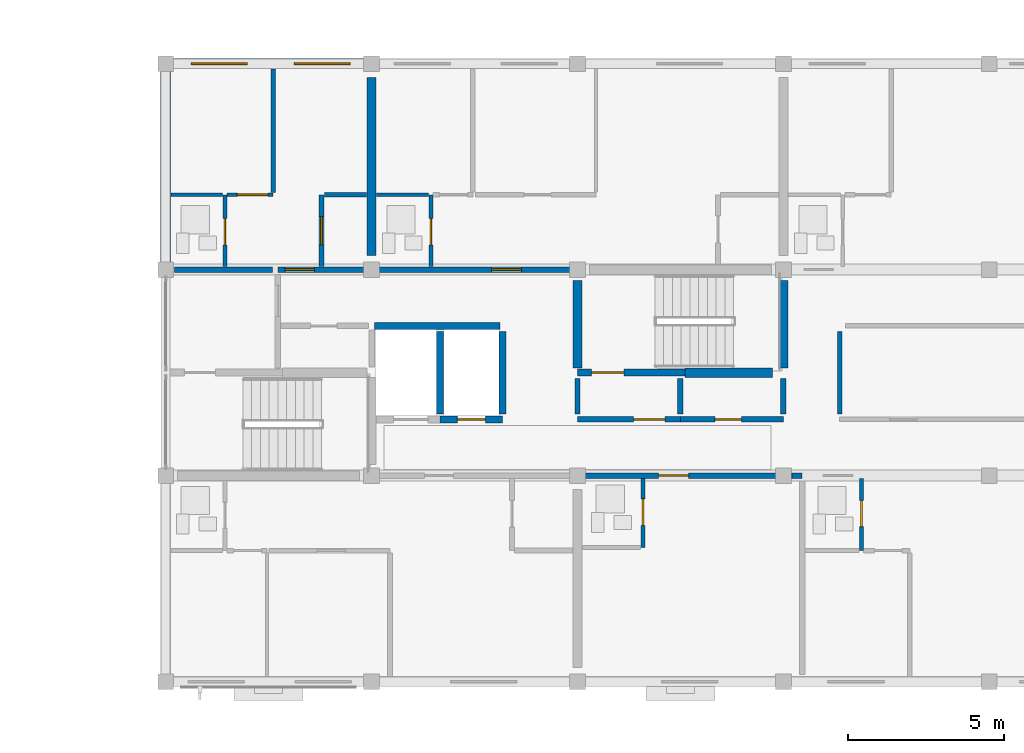
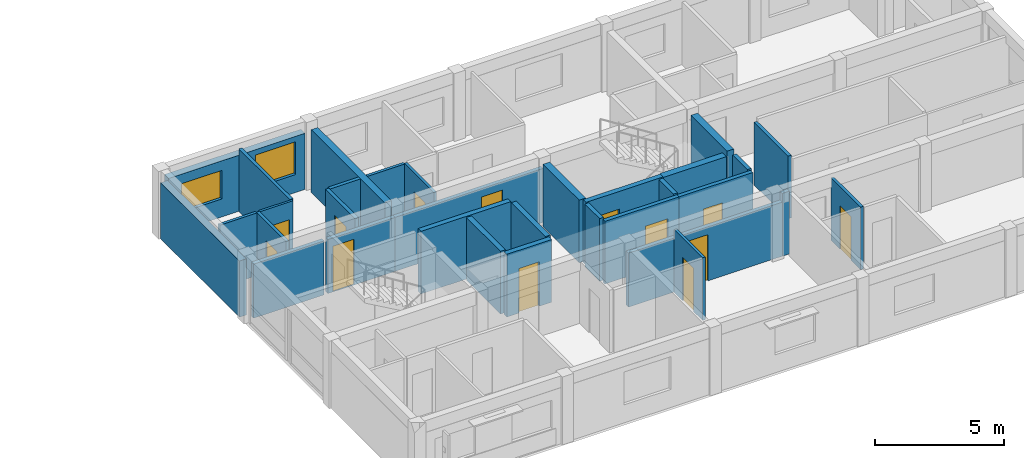
# One storey, part 38 of 53: 32 walls, 13 doors, 2 windows, 15 openings.
"""IFC4 building model written with IfcOpenShell, lengths in metres."""

from ifc_helpers import new_model, si_unit, direction, frame, frame_2d, origin, place, context, subcontext, project, spatial, rectangle, extrude, material, layer, layer_set, type_object, element, fill, save


model = new_model("IFC4")

# Units and contexts
model_context = context("Model", 3, precision=1e-05, world=origin(), true_north=direction((0.0, 1.0)))
body_context = subcontext(model_context, "Body", "Model", "MODEL_VIEW")
ifc_project = project(units=[si_unit("LENGTHUNIT", "METRE"), si_unit("AREAUNIT", "SQUARE_METRE"), si_unit("VOLUMEUNIT", "CUBIC_METRE"), si_unit("PLANEANGLEUNIT", "RADIAN"), si_unit("MASSUNIT", "GRAM", prefix="KILO")], contexts=[model_context])

# Site, building, storey
site_placement = place(None, origin())
site = spatial("IfcSite", under=ifc_project, at=site_placement, CompositionType="ELEMENT")
building_placement = place(site_placement, origin())
building = spatial("IfcBuilding", under=site, at=building_placement, Name="Kernevlak Ridge Housing Community", CompositionType="ELEMENT")
storey_placement = place(building_placement, frame((0.0, 0.0, 18.0)))
storey = spatial("IfcBuildingStorey", under=building, at=storey_placement, Name="L05", CompositionType="ELEMENT", Elevation=18.0)

# Wall, openings, windows
ifc_material_1 = material(Name="Concrete block masonry M10", Category="masonry")
ifc_layer_1 = layer(ifc_material_1, 0.320068359375, Name="Concrete block masonry M10")
ifc_layer_set_1 = layer_set([ifc_layer_1], Name="Concrete block masonry M10")
wall_type_1 = type_object("IfcWallType", Name="EW-02", PredefinedType="STANDARD", material=ifc_layer_set_1)
wall_1_placement = place(storey_placement, frame((119.64990234375, 102.39990234375, 0.0), z_axis=(0.0, 0.0, 1.0), x_axis=(1.0, 0.0, 0.0)))
wall_1 = element("IfcWall", 1, at=wall_1_placement, inside=storey, type_object=wall_type_1, Name="Exterior wall EW-02 L05 376", PredefinedType="STANDARD", context=body_context, shape_type="SweptSolid", body=[
    extrude(rectangle(XDim=6.10009765625, YDim=0.320068359375, at=frame_2d((3.050048828125, 0.0))), origin(), (0.0, 0.0, 1.0), 2.64990234375),
])
opening_1_placement = place(wall_1_placement, frame((0.574951171875, 0.0, 0.85009765625)))
opening_1 = element("IfcOpeningElement", 2, at=opening_1_placement, cuts=wall_1, Name="Opening WT-03", PredefinedType="OPENING", context=body_context, shape_type="SweptSolid", body=[
    extrude(rectangle(XDim=1.800048828125, YDim=1.35009765625, at=frame_2d((0.89990234375, 0.675048828125))), frame((0.0, 0.169921875, 0.0), z_axis=(0.0, -1.0, 0.0), x_axis=(1.0, 0.0, 0.0)), (0.0, 0.0, 1.0), 0.340087890625),
])
opening_2_placement = place(wall_1_placement, frame((3.875, 0.0, 0.85009765625)))
opening_2 = element("IfcOpeningElement", 3, at=opening_2_placement, cuts=wall_1, Name="Opening WT-04", PredefinedType="OPENING", context=body_context, shape_type="SweptSolid", body=[
    extrude(rectangle(XDim=1.800048828125, YDim=1.550048828125, at=frame_2d((0.89990234375, 0.77490234375))), frame((0.0, 0.169921875, 0.0), z_axis=(0.0, -1.0, 0.0), x_axis=(1.0, 0.0, 0.0)), (0.0, 0.0, 1.0), 0.340087890625),
])
ifc_material_2 = material(Name="Aluminium EN AW-6060 anodised and laminated glass", Category="aluminium")
window_type_1 = type_object("IfcWindowType", Name="WT-03", PartitioningType="SINGLE_PANEL", PredefinedType="WINDOW", material=ifc_material_2)
window_1_placement = place(opening_1_placement, origin())
window_1 = element("IfcWindow", 4, at=window_1_placement, inside=storey, type_object=window_type_1, Name="Window WT-03 L05 289", OverallHeight=1.35009765625, OverallWidth=1.800048828125, PartitioningType="SINGLE_PANEL", PredefinedType="WINDOW", context=body_context, shape_type="SweptSolid", body=[
    extrude(rectangle(XDim=1.800048828125, YDim=1.35009765625, at=frame_2d((0.89990234375, 0.675048828125))), frame((0.0, 0.030029296875, 0.0), z_axis=(0.0, -1.0, 0.0), x_axis=(1.0, 0.0, 0.0)), (0.0, 0.0, 1.0), 0.06005859375),
])
fill(opening_1, window_1)
window_type_2 = type_object("IfcWindowType", Name="WT-04", PartitioningType="SINGLE_PANEL", PredefinedType="WINDOW", material=ifc_material_2)
window_2_placement = place(opening_2_placement, origin())
window_2 = element("IfcWindow", 5, at=window_2_placement, inside=storey, type_object=window_type_2, Name="Window WT-04 L05 290", OverallHeight=1.550048828125, OverallWidth=1.800048828125, PartitioningType="SINGLE_PANEL", PredefinedType="WINDOW", context=body_context, shape_type="SweptSolid", body=[
    extrude(rectangle(XDim=1.800048828125, YDim=1.550048828125, at=frame_2d((0.89990234375, 0.77490234375))), frame((0.0, 0.030029296875, 0.0), z_axis=(0.0, -1.0, 0.0), x_axis=(1.0, 0.0, 0.0)), (0.0, 0.0, 1.0), 0.06005859375),
])
fill(opening_2, window_2)

# Wall
wall_2_placement = place(storey_placement, frame((119.39990234375, 96.050048828125, 0.0), z_axis=(0.0, 0.0, 1.0), x_axis=(0.0, 1.0, 0.0)))
element("IfcWall", 6, at=wall_2_placement, inside=storey, type_object=wall_type_1, Name="Exterior wall EW-02 L05 384", PredefinedType="STANDARD", context=body_context, shape_type="SweptSolid", body=[
    extrude(rectangle(XDim=6.099853515625, YDim=0.320068359375, at=frame_2d((3.0498046875, 0.0))), origin(), (0.0, 0.0, 1.0), 2.64990234375),
])

# Wall, opening, door
ifc_material_3 = material(Name="Concrete C35/45", Category="concrete")
ifc_layer_2 = layer(ifc_material_3, 0.22509765625, Name="Concrete C35/45")
ifc_layer_set_2 = layer_set([ifc_layer_2], Name="Concrete C35/45")
wall_type_2 = type_object("IfcWallType", Name="PW-01", PredefinedType="STANDARD", material=ifc_layer_set_2)
wall_3_placement = place(storey_placement, frame((128.199951171875, 91.0, 0.0), z_axis=(0.0, 0.0, 1.0), x_axis=(1.0, 0.0, 0.0)))
wall_3 = element("IfcWall", 7, at=wall_3_placement, inside=storey, type_object=wall_type_2, Name="Interior wall PW-01 WAL-INT-L05-1449", PredefinedType="STANDARD", context=body_context, shape_type="SweptSolid", body=[
    extrude(rectangle(XDim=2.0, YDim=0.22509765625, at=frame_2d((1.0, 0.0))), origin(), (0.0, 0.0, 1.0), 2.9599609375),
])
opening_3_placement = place(wall_3_placement, frame((0.550048828125, 0.0, 0.0)))
opening_3 = element("IfcOpeningElement", 8, at=opening_3_placement, cuts=wall_3, Name="Opening LD41", PredefinedType="OPENING", context=body_context, shape_type="SweptSolid", body=[
    extrude(rectangle(XDim=0.89990234375, YDim=2.10009765625, at=frame_2d((0.449951171875, 1.050048828125))), frame((0.0, 0.12255859375, 0.0), z_axis=(0.0, -1.0, 0.0), x_axis=(1.0, 0.0, 0.0)), (0.0, 0.0, 1.0), 0.2451171875),
])
ifc_material_4 = material(Name="Stainless steel EN 1.4401", Category="steel")
door_type_1 = type_object("IfcDoorType", Name="DT-LD2", OperationType="DOUBLE_DOOR_SLIDING", PredefinedType="DOOR", material=ifc_material_4)
door_1_placement = place(opening_3_placement, origin())
door_1 = element("IfcDoor", 9, at=door_1_placement, inside=storey, type_object=door_type_1, Name="Lift LF-B2 landing door LD41", OperationType="DOUBLE_DOOR_SLIDING", OverallHeight=2.10009765625, OverallWidth=0.89990234375, PredefinedType="DOOR", context=body_context, shape_type="SweptSolid", body=[
    extrude(rectangle(XDim=0.89990234375, YDim=2.10009765625, at=frame_2d((0.449951171875, 1.050048828125))), frame((0.0, 0.02490234375, 0.0), z_axis=(0.0, -1.0, 0.0), x_axis=(1.0, 0.0, 0.0)), (0.0, 0.0, 1.0), 0.050048828125),
])
fill(opening_3, door_1)

# Walls
wall_4_placement = place(storey_placement, frame((126.097412109375, 94.0, 0.0), z_axis=(0.0, 0.0, 1.0), x_axis=(1.0, 0.0, 0.0)))
element("IfcWall", 10, at=wall_4_placement, inside=storey, type_object=wall_type_2, Name="Interior wall PW-01 WAL-INT-L05-1450", PredefinedType="STANDARD", context=body_context, shape_type="SweptSolid", body=[
    extrude(rectangle(XDim=4.022705078125, YDim=0.22509765625, at=frame_2d((2.01123046875, 0.0))), origin(), (0.0, 0.0, 1.0), 2.9599609375),
])
for number, where, z_axis, x_axis, name in (
    (11, (128.199951171875, 91.179931640625, 0.0), (0.0, 0.0, 1.0), (0.0, 1.0, 0.0), "Interior wall PW-01 WAL-INT-L05-1452"),
    (12, (130.199951171875, 91.179931640625, 0.0), (0.0, 0.0, 1.0), (0.0, 1.0, 0.0), "Interior wall PW-01 WAL-INT-L05-1453"),
):
    element("IfcWall", number, at=place(storey_placement, frame(where, z_axis=z_axis, x_axis=x_axis)), inside=storey, type_object=wall_type_2, Name=name, PredefinedType="STANDARD", context=body_context, shape_type="SweptSolid", body=[
        extrude(rectangle(XDim=2.64013671875, YDim=0.22509765625, at=frame_2d((1.320068359375, 0.0))), origin(), (0.0, 0.0, 1.0), 2.9599609375),
    ])

# Wall, opening, door
wall_5_placement = place(storey_placement, frame((132.60009765625, 92.5, 0.0), z_axis=(0.0, 0.0, 1.0), x_axis=(1.0, 0.0, 0.0)))
wall_5 = element("IfcWall", 13, at=wall_5_placement, inside=storey, type_object=wall_type_2, Name="Interior wall PW-01 WAL-INT-L05-1454", PredefinedType="STANDARD", context=body_context, shape_type="SweptSolid", body=[
    extrude(rectangle(XDim=3.449951171875, YDim=0.22509765625, at=frame_2d((1.72509765625, 0.0))), origin(), (0.0, 0.0, 1.0), 2.9599609375),
])
opening_4_placement = place(wall_5_placement, frame((0.449951171875, 0.0, 0.0)))
opening_4 = element("IfcOpeningElement", 14, at=opening_4_placement, cuts=wall_5, Name="Opening D735", PredefinedType="OPENING", context=body_context, shape_type="SweptSolid", body=[
    extrude(rectangle(XDim=1.0400390625, YDim=2.1201171875, at=frame_2d((0.52001953125, 1.06005859375))), frame((0.0, 0.12255859375, 0.0), z_axis=(0.0, -1.0, 0.0), x_axis=(1.0, 0.0, 0.0)), (0.0, 0.0, 1.0), 0.2451171875),
])
ifc_material_5 = material(Name="Fire-rated sheet steel leaf", Category="steel")
door_type_2 = type_object("IfcDoorType", Name="DT-16", OperationType="NOTDEFINED", PredefinedType="DOOR", material=ifc_material_5)
door_2_placement = place(opening_4_placement, origin())
door_2 = element("IfcDoor", 15, at=door_2_placement, inside=storey, type_object=door_type_2, Name="Block B Stair 2 fire door D735", OperationType="SINGLE_SWING_LEFT", OverallHeight=2.1201171875, OverallWidth=1.0400390625, PredefinedType="DOOR", context=body_context, shape_type="SweptSolid", body=[
    extrude(rectangle(XDim=1.0400390625, YDim=2.1201171875, at=frame_2d((0.52001953125, 1.06005859375))), frame((0.0, 0.02490234375, 0.0), z_axis=(0.0, -1.0, 0.0), x_axis=(1.0, 0.0, 0.0)), (0.0, 0.0, 1.0), 0.050048828125),
])
fill(opening_4, door_2)

ifc_layer_3 = layer(ifc_material_1, 0.175048828125, Name="Concrete block masonry M10")
ifc_layer_set_3 = layer_set([ifc_layer_3], Name="Concrete block masonry M10")
wall_type_3 = type_object("IfcWallType", Name="PW-02", PredefinedType="PARTITIONING", material=ifc_layer_set_3)
wall_6_placement = place(storey_placement, frame((132.60009765625, 91.0, 0.0), z_axis=(0.0, 0.0, 1.0), x_axis=(1.0, 0.0, 0.0)))
wall_6 = element("IfcWall", 16, at=wall_6_placement, inside=storey, type_object=wall_type_3, Name="Interior wall PW-02 WAL-INT-L05-1455", PredefinedType="PARTITIONING", context=body_context, shape_type="SweptSolid", body=[
    extrude(rectangle(XDim=3.2998046875, YDim=0.175048828125, at=frame_2d((1.64990234375, 0.0))), origin(), (0.0, 0.0, 1.0), 2.9599609375),
])
opening_5_placement = place(wall_6_placement, frame((1.800048828125, 0.0, 0.0)))
opening_5 = element("IfcOpeningElement", 17, at=opening_5_placement, cuts=wall_6, Name="Opening D736", PredefinedType="OPENING", context=body_context, shape_type="SweptSolid", body=[
    extrude(rectangle(XDim=1.0, YDim=2.10009765625, at=frame_2d((0.5, 1.050048828125))), frame((0.0, 0.097412109375, 0.0), z_axis=(0.0, -1.0, 0.0), x_axis=(1.0, 0.0, 0.0)), (0.0, 0.0, 1.0), 0.195068359375),
])
door_type_3 = type_object("IfcDoorType", Name="DT-05", OperationType="NOTDEFINED", PredefinedType="DOOR", material=ifc_material_5)
door_3_placement = place(opening_5_placement, origin())
door_3 = element("IfcDoor", 18, at=door_3_placement, inside=storey, type_object=door_type_3, Name="Block B Firefighting lobby 2 door D736", OperationType="SINGLE_SWING_RIGHT", OverallHeight=2.10009765625, OverallWidth=1.0, PredefinedType="DOOR", context=body_context, shape_type="SweptSolid", body=[
    extrude(rectangle(XDim=1.0, YDim=2.10009765625, at=frame_2d((0.5, 1.050048828125))), frame((0.0, 0.02490234375, 0.0), z_axis=(0.0, -1.0, 0.0), x_axis=(1.0, 0.0, 0.0)), (0.0, 0.0, 1.0), 0.050048828125),
])
fill(opening_5, door_3)

wall_7_placement = place(storey_placement, frame((135.89990234375, 91.0, 0.0), z_axis=(0.0, 0.0, 1.0), x_axis=(1.0, 0.0, 0.0)))
wall_7 = element("IfcWall", 19, at=wall_7_placement, inside=storey, type_object=wall_type_3, Name="Interior wall PW-02 WAL-INT-L05-1456", PredefinedType="PARTITIONING", context=body_context, shape_type="SweptSolid", body=[
    extrude(rectangle(XDim=3.300048828125, YDim=0.175048828125, at=frame_2d((1.64990234375, 0.0))), origin(), (0.0, 0.0, 1.0), 2.9599609375),
])
opening_6_placement = place(wall_7_placement, frame((1.10009765625, 0.0, 0.0)))
opening_6 = element("IfcOpeningElement", 20, at=opening_6_placement, cuts=wall_7, Name="Opening D737", PredefinedType="OPENING", context=body_context, shape_type="SweptSolid", body=[
    extrude(rectangle(XDim=0.85009765625, YDim=2.0, at=frame_2d((0.425048828125, 1.0))), frame((0.0, 0.097412109375, 0.0), z_axis=(0.0, -1.0, 0.0), x_axis=(1.0, 0.0, 0.0)), (0.0, 0.0, 1.0), 0.195068359375),
])
door_type_4 = type_object("IfcDoorType", Name="DT-07", OperationType="NOTDEFINED", PredefinedType="DOOR", material=ifc_material_5)
door_4_placement = place(opening_6_placement, origin())
door_4 = element("IfcDoor", 21, at=door_4_placement, inside=storey, type_object=door_type_4, Name="Block B Cleaner store door D737", OperationType="SINGLE_SWING_LEFT", OverallHeight=2.0, OverallWidth=0.85009765625, PredefinedType="DOOR", context=body_context, shape_type="SweptSolid", body=[
    extrude(rectangle(XDim=0.85009765625, YDim=2.0, at=frame_2d((0.425048828125, 1.0))), frame((0.0, 0.02490234375, 0.0), z_axis=(0.0, -1.0, 0.0), x_axis=(1.0, 0.0, 0.0)), (0.0, 0.0, 1.0), 0.050048828125),
])
fill(opening_6, door_4)

# Walls
for number, where, z_axis, x_axis, name in (
    (22, (132.60009765625, 91.179931640625, 0.0), (0.0, 0.0, 1.0), (0.0, 1.0, 0.0), "Interior wall PW-02 WAL-INT-L05-1457"),
    (23, (135.89990234375, 91.179931640625, 0.0), (0.0, 0.0, 1.0), (0.0, 1.0, 0.0), "Interior wall PW-02 WAL-INT-L05-1458"),
    (24, (139.199951171875, 91.179931640625, 0.0), (0.0, 0.0, 1.0), (0.0, 1.0, 0.0), "Interior wall PW-02 WAL-INT-L05-1459"),
):
    element("IfcWall", number, at=place(storey_placement, frame(where, z_axis=z_axis, x_axis=x_axis)), inside=storey, type_object=wall_type_3, Name=name, PredefinedType="PARTITIONING", context=body_context, shape_type="SweptSolid", body=[
        extrude(rectangle(XDim=1.14013671875, YDim=0.175048828125, at=frame_2d((0.570068359375, 0.0))), origin(), (0.0, 0.0, 1.0), 2.9599609375),
    ])

# Wall, opening, door
wall_8_placement = place(storey_placement, frame((132.60009765625, 89.199951171875, 0.0), z_axis=(0.0, 0.0, 1.0), x_axis=(1.0, 0.0, 0.0)))
wall_8 = element("IfcWall", 25, at=wall_8_placement, inside=storey, type_object=wall_type_3, Name="Interior wall PW-02 WAL-INT-L05-1474", PredefinedType="PARTITIONING", context=body_context, shape_type="SweptSolid", body=[
    extrude(rectangle(XDim=6.8798828125, YDim=0.175048828125, at=frame_2d((3.43994140625, 0.0))), origin(), (0.0, 0.0, 1.0), 2.550048828125),
])
opening_7_placement = place(wall_8_placement, frame((2.60009765625, 0.0, 0.0)))
opening_7 = element("IfcOpeningElement", 26, at=opening_7_placement, cuts=wall_8, Name="Opening D745", PredefinedType="OPENING", context=body_context, shape_type="SweptSolid", body=[
    extrude(rectangle(XDim=0.9599609375, YDim=2.179931640625, at=frame_2d((0.47998046875, 1.08984375))), frame((0.0, 0.097412109375, 0.0), z_axis=(0.0, -1.0, 0.0), x_axis=(1.0, 0.0, 0.0)), (0.0, 0.0, 1.0), 0.195068359375),
])
ifc_material_6 = material(Name="Hardwood timber solid-core fire leaf", Category="wood")
door_type_5 = type_object("IfcDoorType", Name="DT-29", OperationType="NOTDEFINED", PredefinedType="DOOR", material=ifc_material_6)
door_5_placement = place(opening_7_placement, origin())
door_5 = element("IfcDoor", 27, at=door_5_placement, inside=storey, type_object=door_type_5, Name="Flat B0512 entrance fire door D745", OperationType="SINGLE_SWING_LEFT", OverallHeight=2.179931640625, OverallWidth=0.9599609375, PredefinedType="DOOR", context=body_context, shape_type="SweptSolid", body=[
    extrude(rectangle(XDim=0.9599609375, YDim=2.179931640625, at=frame_2d((0.47998046875, 1.08984375))), frame((0.0, 0.02490234375, 0.0), z_axis=(0.0, -1.0, 0.0), x_axis=(1.0, 0.0, 0.0)), (0.0, 0.0, 1.0), 0.050048828125),
])
fill(opening_7, door_5)

# Walls
wall_9_placement = place(storey_placement, frame((139.47998046875, 89.199951171875, 0.0), z_axis=(0.0, 0.0, 1.0), x_axis=(1.0, 0.0, 0.0)))
element("IfcWall", 28, at=wall_9_placement, inside=storey, type_object=wall_type_3, Name="Interior wall PW-02 WAL-INT-L05-1474 part 2", PredefinedType="PARTITIONING", context=body_context, shape_type="SweptSolid", body=[
    extrude(rectangle(XDim=0.320068359375, YDim=0.175048828125, at=frame_2d((0.16015625, 0.0))), origin(), (0.0, 0.0, 1.0), 2.9599609375),
])
wall_10_placement = place(storey_placement, frame((119.679931640625, 95.800048828125, 0.0), z_axis=(0.0, 0.0, 1.0), x_axis=(1.0, 0.0, 0.0)))
element("IfcWall", 29, at=wall_10_placement, inside=storey, type_object=wall_type_3, Name="Interior wall PW-02 WAL-INT-L05-1485", PredefinedType="PARTITIONING", context=body_context, shape_type="SweptSolid", body=[
    extrude(rectangle(XDim=3.14013671875, YDim=0.175048828125, at=frame_2d((1.570068359375, 0.0))), origin(), (0.0, 0.0, 1.0), 2.550048828125),
])

# Wall, opening, door
wall_11_placement = place(storey_placement, frame((123.0, 95.800048828125, 0.0), z_axis=(0.0, 0.0, 1.0), x_axis=(1.0, 0.0, 0.0)))
wall_11 = element("IfcWall", 30, at=wall_11_placement, inside=storey, type_object=wall_type_3, Name="Interior wall PW-02 WAL-INT-L05-1486", PredefinedType="PARTITIONING", context=body_context, shape_type="SweptSolid", body=[
    extrude(rectangle(XDim=3.0, YDim=0.175048828125, at=frame_2d((1.5, 0.0))), origin(), (0.0, 0.0, 1.0), 2.550048828125),
])
opening_8_placement = place(wall_11_placement, frame((0.219970703125, 0.0, 0.0)))
opening_8 = element("IfcOpeningElement", 31, at=opening_8_placement, cuts=wall_11, Name="Opening D751", PredefinedType="OPENING", context=body_context, shape_type="SweptSolid", body=[
    extrude(rectangle(XDim=0.949951171875, YDim=2.159912109375, at=frame_2d((0.47509765625, 1.080078125))), frame((0.0, 0.097412109375, 0.0), z_axis=(0.0, -1.0, 0.0), x_axis=(1.0, 0.0, 0.0)), (0.0, 0.0, 1.0), 0.195068359375),
])
door_type_6 = type_object("IfcDoorType", Name="DT-02", OperationType="NOTDEFINED", PredefinedType="DOOR", material=ifc_material_6)
door_6_placement = place(opening_8_placement, origin())
door_6 = element("IfcDoor", 32, at=door_6_placement, inside=storey, type_object=door_type_6, Name="Flat B0521 entrance fire door D751", OperationType="SINGLE_SWING_LEFT", OverallHeight=2.159912109375, OverallWidth=0.949951171875, PredefinedType="DOOR", context=body_context, shape_type="SweptSolid", body=[
    extrude(rectangle(XDim=0.949951171875, YDim=2.159912109375, at=frame_2d((0.47509765625, 1.080078125))), frame((0.0, 0.02490234375, 0.0), z_axis=(0.0, -1.0, 0.0), x_axis=(1.0, 0.0, 0.0)), (0.0, 0.0, 1.0), 0.050048828125),
])
fill(opening_8, door_6)

wall_12_placement = place(storey_placement, frame((126.0, 95.800048828125, 0.0), z_axis=(0.0, 0.0, 1.0), x_axis=(1.0, 0.0, 0.0)))
wall_12 = element("IfcWall", 33, at=wall_12_placement, inside=storey, type_object=wall_type_3, Name="Interior wall PW-02 WAL-INT-L05-1493", PredefinedType="PARTITIONING", context=body_context, shape_type="SweptSolid", body=[
    extrude(rectangle(XDim=6.60009765625, YDim=0.175048828125, at=frame_2d((3.300048828125, 0.0))), origin(), (0.0, 0.0, 1.0), 2.550048828125),
])
opening_9_placement = place(wall_12_placement, frame((3.85009765625, 0.0, 0.0)))
opening_9 = element("IfcOpeningElement", 34, at=opening_9_placement, cuts=wall_12, Name="Opening D755", PredefinedType="OPENING", context=body_context, shape_type="SweptSolid", body=[
    extrude(rectangle(XDim=0.949951171875, YDim=2.159912109375, at=frame_2d((0.47509765625, 1.080078125))), frame((0.0, 0.097412109375, 0.0), z_axis=(0.0, -1.0, 0.0), x_axis=(1.0, 0.0, 0.0)), (0.0, 0.0, 1.0), 0.195068359375),
])
door_7_placement = place(opening_9_placement, origin())
door_7 = element("IfcDoor", 35, at=door_7_placement, inside=storey, type_object=door_type_6, Name="Flat B0522 entrance fire door D755", OperationType="SINGLE_SWING_LEFT", OverallHeight=2.159912109375, OverallWidth=0.949951171875, PredefinedType="DOOR", context=body_context, shape_type="SweptSolid", body=[
    extrude(rectangle(XDim=0.949951171875, YDim=2.159912109375, at=frame_2d((0.47509765625, 1.080078125))), frame((0.0, 0.02490234375, 0.0), z_axis=(0.0, -1.0, 0.0), x_axis=(1.0, 0.0, 0.0)), (0.0, 0.0, 1.0), 0.050048828125),
])
fill(opening_9, door_7)

# Walls
ifc_layer_4 = layer(ifc_material_1, 0.14501953125, Name="Concrete block masonry M10")
ifc_layer_set_4 = layer_set([ifc_layer_4], Name="Concrete block masonry M10")
wall_type_4 = type_object("IfcWallType", Name="PW-03", PredefinedType="PARTITIONING", material=ifc_layer_set_4)
wall_13_placement = place(storey_placement, frame((141.0, 91.179931640625, 0.0), z_axis=(0.0, 0.0, 1.0), x_axis=(0.0, 1.0, 0.0)))
element("IfcWall", 36, at=wall_13_placement, inside=storey, type_object=wall_type_4, Name="Interior wall PW-03 WAL-INT-L05-1464", PredefinedType="PARTITIONING", context=body_context, shape_type="SweptSolid", body=[
    extrude(rectangle(XDim=2.64013671875, YDim=0.14501953125, at=frame_2d((1.320068359375, 0.0))), origin(), (0.0, 0.0, 1.0), 2.9599609375),
])
wall_14_placement = place(storey_placement, frame((122.85009765625, 98.280029296875, 0.0), z_axis=(0.0, 0.0, 1.0), x_axis=(0.0, 1.0, 0.0)))
element("IfcWall", 37, at=wall_14_placement, inside=storey, type_object=wall_type_4, Name="Interior wall PW-03 WAL-INT-L05-1492", PredefinedType="PARTITIONING", context=body_context, shape_type="SweptSolid", body=[
    extrude(rectangle(XDim=3.949951171875, YDim=0.14501953125, at=frame_2d((1.97509765625, 0.0))), origin(), (0.0, 0.0, 1.0), 2.9599609375),
])

# Wall, opening, door
ifc_material_7 = material(Name="Gypsum plasterboard EN 520", Category="gypsum")
ifc_layer_5 = layer(ifc_material_7, 0.125, Name="Gypsum plasterboard EN 520")
ifc_layer_set_5 = layer_set([ifc_layer_5], Name="Gypsum plasterboard EN 520")
wall_type_5 = type_object("IfcWallType", Name="PW-04", PredefinedType="PARTITIONING", material=ifc_layer_set_5)
wall_15_placement = place(storey_placement, frame((134.699951171875, 89.1025390625, 0.0), z_axis=(0.0, 0.0, 1.0), x_axis=(0.0, -1.0, 0.0)))
wall_15 = element("IfcWall", 38, at=wall_15_placement, inside=storey, type_object=wall_type_5, Name="Interior wall PW-04 WAL-INT-L05-1475", PredefinedType="PARTITIONING", context=body_context, shape_type="SweptSolid", body=[
    extrude(rectangle(XDim=2.20263671875, YDim=0.125, at=frame_2d((1.101318359375, 0.0))), origin(), (0.0, 0.0, 1.0), 2.9599609375),
])
opening_10_placement = place(wall_15_placement, frame((0.64990234375, 0.0, 0.0)))
opening_10 = element("IfcOpeningElement", 39, at=opening_10_placement, cuts=wall_15, Name="Opening D746", PredefinedType="OPENING", context=body_context, shape_type="SweptSolid", body=[
    extrude(rectangle(XDim=0.85009765625, YDim=2.0400390625, at=frame_2d((0.425048828125, 1.02001953125))), frame((0.0, 0.072509765625, 0.0), z_axis=(0.0, -1.0, 0.0), x_axis=(1.0, 0.0, 0.0)), (0.0, 0.0, 1.0), 0.14501953125),
])
ifc_material_8 = material(Name="Hardwood timber moisture-resistant leaf", Category="wood")
door_type_7 = type_object("IfcDoorType", Name="DT-04", OperationType="NOTDEFINED", PredefinedType="DOOR", material=ifc_material_8)
door_8_placement = place(opening_10_placement, origin())
door_8 = element("IfcDoor", 40, at=door_8_placement, inside=storey, type_object=door_type_7, Name="Flat B0512 bathroom door D746", OperationType="SINGLE_SWING_RIGHT", OverallHeight=2.0400390625, OverallWidth=0.85009765625, PredefinedType="DOOR", context=body_context, shape_type="SweptSolid", body=[
    extrude(rectangle(XDim=0.85009765625, YDim=2.0400390625, at=frame_2d((0.425048828125, 1.02001953125))), frame((0.0, 0.02490234375, 0.0), z_axis=(0.0, -1.0, 0.0), x_axis=(1.0, 0.0, 0.0)), (0.0, 0.0, 1.0), 0.050048828125),
])
fill(opening_10, door_8)

wall_16_placement = place(storey_placement, frame((141.699951171875, 89.1025390625, 0.0), z_axis=(0.0, 0.0, 1.0), x_axis=(0.0, -1.0, 0.0)))
wall_16 = element("IfcWall", 41, at=wall_16_placement, inside=storey, type_object=wall_type_5, Name="Interior wall PW-04 WAL-INT-L05-1479", PredefinedType="PARTITIONING", context=body_context, shape_type="SweptSolid", body=[
    extrude(rectangle(XDim=2.302490234375, YDim=0.125, at=frame_2d((1.1513671875, 0.0))), origin(), (0.0, 0.0, 1.0), 2.9599609375),
])
opening_11_placement = place(wall_16_placement, frame((0.699951171875, 0.0, 0.0)))
opening_11 = element("IfcOpeningElement", 42, at=opening_11_placement, cuts=wall_16, Name="Opening D748", PredefinedType="OPENING", context=body_context, shape_type="SweptSolid", body=[
    extrude(rectangle(XDim=0.840087890625, YDim=2.06005859375, at=frame_2d((0.419921875, 1.030029296875))), frame((0.0, 0.072509765625, 0.0), z_axis=(0.0, -1.0, 0.0), x_axis=(1.0, 0.0, 0.0)), (0.0, 0.0, 1.0), 0.14501953125),
])
door_type_8 = type_object("IfcDoorType", Name="DT-27", OperationType="NOTDEFINED", PredefinedType="DOOR", material=ifc_material_8)
door_9_placement = place(opening_11_placement, origin())
door_9 = element("IfcDoor", 43, at=door_9_placement, inside=storey, type_object=door_type_8, Name="Flat B0513 bathroom door D748", OperationType="SINGLE_SWING_RIGHT", OverallHeight=2.06005859375, OverallWidth=0.840087890625, PredefinedType="DOOR", context=body_context, shape_type="SweptSolid", body=[
    extrude(rectangle(XDim=0.840087890625, YDim=2.06005859375, at=frame_2d((0.419921875, 1.030029296875))), frame((0.0, 0.02490234375, 0.0), z_axis=(0.0, -1.0, 0.0), x_axis=(1.0, 0.0, 0.0)), (0.0, 0.0, 1.0), 0.050048828125),
])
fill(opening_11, door_9)

wall_17_placement = place(storey_placement, frame((121.300048828125, 95.8974609375, 0.0), z_axis=(0.0, 0.0, 1.0), x_axis=(0.0, 1.0, 0.0)))
wall_17 = element("IfcWall", 44, at=wall_17_placement, inside=storey, type_object=wall_type_5, Name="Interior wall PW-04 WAL-INT-L05-1487", PredefinedType="PARTITIONING", context=body_context, shape_type="SweptSolid", body=[
    extrude(rectangle(XDim=2.302490234375, YDim=0.125, at=frame_2d((1.1513671875, 0.0))), origin(), (0.0, 0.0, 1.0), 2.9599609375),
])
opening_12_placement = place(wall_17_placement, frame((0.699951171875, 0.0, 0.0)))
opening_12 = element("IfcOpeningElement", 45, at=opening_12_placement, cuts=wall_17, Name="Opening D752", PredefinedType="OPENING", context=body_context, shape_type="SweptSolid", body=[
    extrude(rectangle(XDim=0.840087890625, YDim=2.06005859375, at=frame_2d((0.419921875, 1.030029296875))), frame((0.0, 0.072509765625, 0.0), z_axis=(0.0, -1.0, 0.0), x_axis=(1.0, 0.0, 0.0)), (0.0, 0.0, 1.0), 0.14501953125),
])
door_10_placement = place(opening_12_placement, origin())
door_10 = element("IfcDoor", 46, at=door_10_placement, inside=storey, type_object=door_type_8, Name="Flat B0521 bathroom door D752", OperationType="SINGLE_SWING_RIGHT", OverallHeight=2.06005859375, OverallWidth=0.840087890625, PredefinedType="DOOR", context=body_context, shape_type="SweptSolid", body=[
    extrude(rectangle(XDim=0.840087890625, YDim=2.06005859375, at=frame_2d((0.419921875, 1.030029296875))), frame((0.0, 0.02490234375, 0.0), z_axis=(0.0, -1.0, 0.0), x_axis=(1.0, 0.0, 0.0)), (0.0, 0.0, 1.0), 0.050048828125),
])
fill(opening_12, door_10)

# Wall
wall_18_placement = place(storey_placement, frame((119.570068359375, 98.199951171875, 0.0), z_axis=(0.0, 0.0, 1.0), x_axis=(1.0, 0.0, 0.0)))
element("IfcWall", 47, at=wall_18_placement, inside=storey, type_object=wall_type_5, Name="Interior wall PW-04 WAL-INT-L05-1488", PredefinedType="PARTITIONING", context=body_context, shape_type="SweptSolid", body=[
    extrude(rectangle(XDim=1.64990234375, YDim=0.125, at=frame_2d((0.824951171875, 0.0))), origin(), (0.0, 0.0, 1.0), 2.9599609375),
])

# Wall, opening, door
wall_19_placement = place(storey_placement, frame((127.89990234375, 95.8974609375, 0.0), z_axis=(0.0, 0.0, 1.0), x_axis=(0.0, 1.0, 0.0)))
wall_19 = element("IfcWall", 48, at=wall_19_placement, inside=storey, type_object=wall_type_5, Name="Interior wall PW-04 WAL-INT-L05-1494", PredefinedType="PARTITIONING", context=body_context, shape_type="SweptSolid", body=[
    extrude(rectangle(XDim=2.302490234375, YDim=0.125, at=frame_2d((1.1513671875, 0.0))), origin(), (0.0, 0.0, 1.0), 2.9599609375),
])
opening_13_placement = place(wall_19_placement, frame((0.699951171875, 0.0, 0.0)))
opening_13 = element("IfcOpeningElement", 49, at=opening_13_placement, cuts=wall_19, Name="Opening D756", PredefinedType="OPENING", context=body_context, shape_type="SweptSolid", body=[
    extrude(rectangle(XDim=0.840087890625, YDim=2.06005859375, at=frame_2d((0.419921875, 1.030029296875))), frame((0.0, 0.072509765625, 0.0), z_axis=(0.0, -1.0, 0.0), x_axis=(1.0, 0.0, 0.0)), (0.0, 0.0, 1.0), 0.14501953125),
])
door_11_placement = place(opening_13_placement, origin())
door_11 = element("IfcDoor", 50, at=door_11_placement, inside=storey, type_object=door_type_8, Name="Flat B0522 bathroom door D756", OperationType="SINGLE_SWING_RIGHT", OverallHeight=2.06005859375, OverallWidth=0.840087890625, PredefinedType="DOOR", context=body_context, shape_type="SweptSolid", body=[
    extrude(rectangle(XDim=0.840087890625, YDim=2.06005859375, at=frame_2d((0.419921875, 1.030029296875))), frame((0.0, 0.02490234375, 0.0), z_axis=(0.0, -1.0, 0.0), x_axis=(1.0, 0.0, 0.0)), (0.0, 0.0, 1.0), 0.050048828125),
])
fill(opening_13, door_11)

# Wall
wall_20_placement = place(storey_placement, frame((126.159912109375, 98.199951171875, 0.0), z_axis=(0.0, 0.0, 1.0), x_axis=(1.0, 0.0, 0.0)))
element("IfcWall", 51, at=wall_20_placement, inside=storey, type_object=wall_type_5, Name="Interior wall PW-04 WAL-INT-L05-1495", PredefinedType="PARTITIONING", context=body_context, shape_type="SweptSolid", body=[
    extrude(rectangle(XDim=1.66015625, YDim=0.125, at=frame_2d((0.830078125, 0.0))), origin(), (0.0, 0.0, 1.0), 2.9599609375),
])

# Wall, opening, door
ifc_layer_6 = layer(ifc_material_7, 0.155029296875, Name="Gypsum plasterboard EN 520")
ifc_layer_set_6 = layer_set([ifc_layer_6], Name="Gypsum plasterboard EN 520")
wall_type_6 = type_object("IfcWallType", Name="PW-05", PredefinedType="PARTITIONING", material=ifc_layer_set_6)
wall_21_placement = place(storey_placement, frame((124.39990234375, 95.8974609375, 0.0), z_axis=(0.0, 0.0, 1.0), x_axis=(0.0, 1.0, 0.0)))
wall_21 = element("IfcWall", 52, at=wall_21_placement, inside=storey, type_object=wall_type_6, Name="Interior wall PW-05 WAL-INT-L05-1489", PredefinedType="PARTITIONING", context=body_context, shape_type="SweptSolid", body=[
    extrude(rectangle(XDim=2.302490234375, YDim=0.155029296875, at=frame_2d((1.1513671875, 0.0))), origin(), (0.0, 0.0, 1.0), 2.9599609375),
])
opening_14_placement = place(wall_21_placement, frame((0.699951171875, 0.0, 0.0)))
opening_14 = element("IfcOpeningElement", 53, at=opening_14_placement, cuts=wall_21, Name="Opening D753", PredefinedType="OPENING", context=body_context, shape_type="SweptSolid", body=[
    extrude(rectangle(XDim=0.89990234375, YDim=2.159912109375, at=frame_2d((0.449951171875, 1.080078125))), frame((0.0, 0.08740234375, 0.0), z_axis=(0.0, -1.0, 0.0), x_axis=(1.0, 0.0, 0.0)), (0.0, 0.0, 1.0), 0.175048828125),
])
ifc_material_9 = material(Name="Hardwood timber leaf", Category="wood")
door_type_9 = type_object("IfcDoorType", Name="DT-22", OperationType="NOTDEFINED", PredefinedType="DOOR", material=ifc_material_9)
door_12_placement = place(opening_14_placement, origin())
door_12 = element("IfcDoor", 54, at=door_12_placement, inside=storey, type_object=door_type_9, Name="Flat B0521 kitchen door D753", OperationType="SINGLE_SWING_LEFT", OverallHeight=2.159912109375, OverallWidth=0.89990234375, PredefinedType="DOOR", context=body_context, shape_type="SweptSolid", body=[
    extrude(rectangle(XDim=0.89990234375, YDim=2.159912109375, at=frame_2d((0.449951171875, 1.080078125))), frame((0.0, 0.02490234375, 0.0), z_axis=(0.0, -1.0, 0.0), x_axis=(1.0, 0.0, 0.0)), (0.0, 0.0, 1.0), 0.050048828125),
])
fill(opening_14, door_12)

# Wall
wall_22_placement = place(storey_placement, frame((124.487548828125, 98.199951171875, 0.0), z_axis=(0.0, 0.0, 1.0), x_axis=(1.0, 0.0, 0.0)))
element("IfcWall", 55, at=wall_22_placement, inside=storey, type_object=wall_type_6, Name="Interior wall PW-05 WAL-INT-L05-1490", PredefinedType="PARTITIONING", context=body_context, shape_type="SweptSolid", body=[
    extrude(rectangle(XDim=1.3525390625, YDim=0.155029296875, at=frame_2d((0.67626953125, 0.0))), origin(), (0.0, 0.0, 1.0), 2.9599609375),
])

# Wall, opening, door
ifc_layer_7 = layer(ifc_material_7, 0.10498046875, Name="Gypsum plasterboard EN 520")
ifc_layer_set_7 = layer_set([ifc_layer_7], Name="Gypsum plasterboard EN 520")
wall_type_7 = type_object("IfcWallType", Name="PW-06", PredefinedType="PARTITIONING", material=ifc_layer_set_7)
wall_23_placement = place(storey_placement, frame((121.37255859375, 98.199951171875, 0.0), z_axis=(0.0, 0.0, 1.0), x_axis=(1.0, 0.0, 0.0)))
wall_23 = element("IfcWall", 56, at=wall_23_placement, inside=storey, type_object=wall_type_7, Name="Interior wall PW-06 WAL-INT-L05-1491", PredefinedType="PARTITIONING", context=body_context, shape_type="SweptSolid", body=[
    extrude(rectangle(XDim=1.4775390625, YDim=0.10498046875, at=frame_2d((0.73876953125, 0.0))), origin(), (0.0, 0.0, 1.0), 2.9599609375),
])
opening_15_placement = place(wall_23_placement, frame((0.327392578125, 0.0, 0.0)))
opening_15 = element("IfcOpeningElement", 57, at=opening_15_placement, cuts=wall_23, Name="Opening D754", PredefinedType="OPENING", context=body_context, shape_type="SweptSolid", body=[
    extrude(rectangle(XDim=0.97998046875, YDim=2.1201171875, at=frame_2d((0.489990234375, 1.06005859375))), frame((0.0, 0.0625, 0.0), z_axis=(0.0, -1.0, 0.0), x_axis=(1.0, 0.0, 0.0)), (0.0, 0.0, 1.0), 0.125),
])
door_type_10 = type_object("IfcDoorType", Name="DT-24", OperationType="NOTDEFINED", PredefinedType="DOOR", material=ifc_material_9)
door_13_placement = place(opening_15_placement, origin())
door_13 = element("IfcDoor", 58, at=door_13_placement, inside=storey, type_object=door_type_10, Name="Flat B0521 bedroom door D754", OperationType="SINGLE_SWING_RIGHT", OverallHeight=2.1201171875, OverallWidth=0.97998046875, PredefinedType="DOOR", context=body_context, shape_type="SweptSolid", body=[
    extrude(rectangle(XDim=0.97998046875, YDim=2.1201171875, at=frame_2d((0.489990234375, 1.06005859375))), frame((0.0, 0.02490234375, 0.0), z_axis=(0.0, -1.0, 0.0), x_axis=(1.0, 0.0, 0.0)), (0.0, 0.0, 1.0), 0.050048828125),
])
fill(opening_15, door_13)

# Walls
ifc_material_10 = material(Name="Concrete C40/50", Category="concrete")
ifc_layer_8 = layer(ifc_material_10, 0.300048828125, Name="Concrete C40/50")
ifc_layer_set_8 = layer_set([ifc_layer_8], Name="Concrete C40/50")
wall_type_8 = type_object("IfcWallType", Name="SW-02", PredefinedType="SHEAR", material=ifc_layer_set_8)
for number, where, z_axis, x_axis, name in (
    (59, (136.050048828125, 92.5, 0.0), (0.0, 0.0, 1.0), (1.0, 0.0, 0.0), "Shear wall SW-02 Block B L05 265"),
    (60, (132.60009765625, 92.64990234375, 0.0), (0.0, 0.0, 1.0), (0.0, 1.0, 0.0), "Shear wall SW-02 Block B L05 266"),
    (61, (139.199951171875, 92.64990234375, 0.0), (0.0, 0.0, 1.0), (0.0, 1.0, 0.0), "Shear wall SW-02 Block B L05 267"),
):
    element("IfcWall", number, at=place(storey_placement, frame(where, z_axis=z_axis, x_axis=x_axis)), inside=storey, type_object=wall_type_8, Name=name, PredefinedType="SHEAR", context=body_context, shape_type="SweptSolid", body=[
        extrude(rectangle(XDim=2.800048828125, YDim=0.300048828125, at=frame_2d((1.39990234375, 0.0))), origin(), (0.0, 0.0, 1.0), 2.9599609375),
    ])
wall_24_placement = place(storey_placement, frame((126.0, 96.25, 0.0), z_axis=(0.0, 0.0, 1.0), x_axis=(0.0, 1.0, 0.0)))
element("IfcWall", 62, at=wall_24_placement, inside=storey, type_object=wall_type_8, Name="Shear wall SW-02 Block B L05 269", PredefinedType="SHEAR", context=body_context, shape_type="SweptSolid", body=[
    extrude(rectangle(XDim=5.699951171875, YDim=0.300048828125, at=frame_2d((2.85009765625, 0.0))), origin(), (0.0, 0.0, 1.0), 2.9599609375),
])

save(model, "model.ifc")
